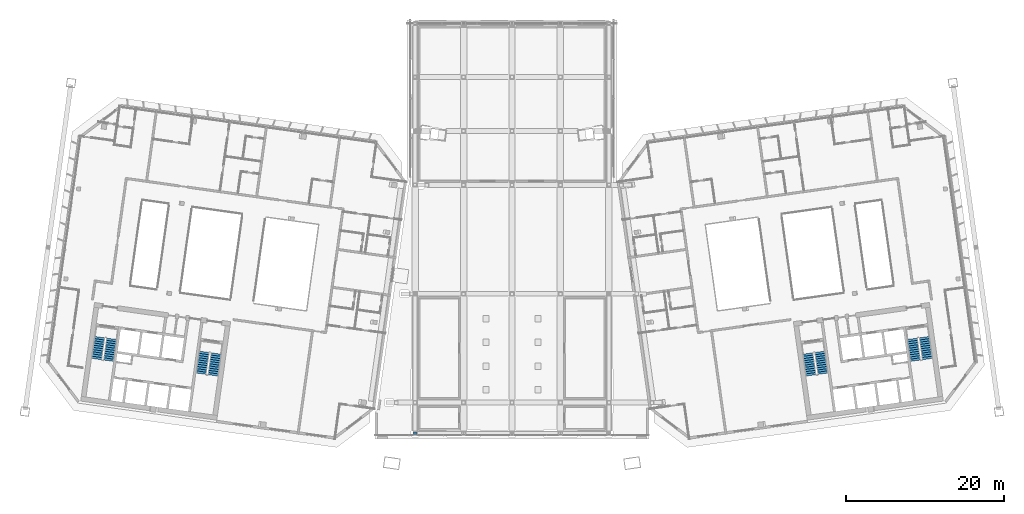
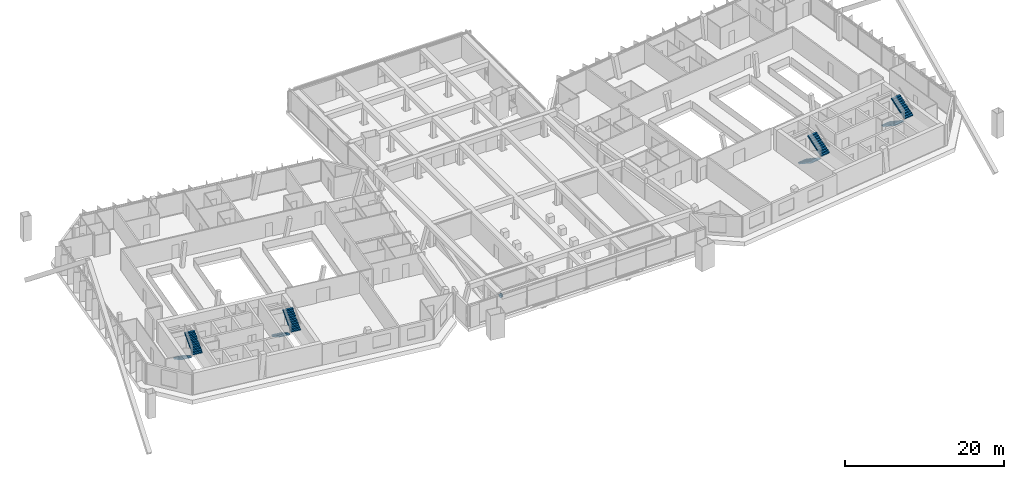
# One storey, part 22 of 28: 8 stair flights, 2 discrete accessories, 4 elements without a shape of their own.
"""IFC4 building model written with IfcOpenShell, lengths in metres."""

from ifc_helpers import new_model, si_unit, direction, frame, origin, origin_2d, place, context, subcontext, project, spatial, polyline, rectangle, outline, extrude, material, material_profile, profile_set, type_object, element, aggregate, save


model = new_model("IFC4")

# Units and contexts
model_context = context("Model", 3, precision=1e-05, world=origin(), true_north=direction((0.0, 1.0)))
body_context = subcontext(model_context, "Body", "Model", "MODEL_VIEW")
ifc_project = project(units=[si_unit("LENGTHUNIT", "METRE"), si_unit("AREAUNIT", "SQUARE_METRE"), si_unit("VOLUMEUNIT", "CUBIC_METRE"), si_unit("PLANEANGLEUNIT", "RADIAN"), si_unit("MASSUNIT", "GRAM", prefix="KILO")], contexts=[model_context])

# Site, building, storey
site_placement = place(None, origin())
site = spatial("IfcSite", under=ifc_project, at=site_placement, CompositionType="ELEMENT")
building_placement = place(site_placement, origin())
building = spatial("IfcBuilding", under=site, at=building_placement, Name="Mirante Cascada Hotel Towers", CompositionType="ELEMENT")
storey_placement = place(building_placement, frame((0.0, 0.0, 262.2)))
storey = spatial("IfcBuildingStorey", under=building, at=storey_placement, Name="L63", CompositionType="ELEMENT", Elevation=262.2)

# Stair, stair flights
ifc_material_1 = material(Name="Concrete C35/45", Category="concrete")
stair_type = type_object("IfcStairType", Name="Exit stair half-turn 1350 concrete C35/45", PredefinedType="HALF_TURN_STAIR", material=ifc_material_1)
stair_1_placement = place(storey_placement, origin())
stair_1 = element("IfcStair", 1, at=stair_1_placement, inside=storey, type_object=stair_type, Name="L63 Exit stair A", PredefinedType="HALF_TURN_STAIR")
ifc_material_2 = material(Name="Concrete C35/45", Category="concrete")
stair_flight_type = type_object("IfcStairFlightType", Name="Exit stair flight 1350 concrete C35/45", PredefinedType="STRAIGHT", material=ifc_material_2)
stair_flight_1_placement = place(storey_placement, frame((-38.9417, -11.195, 0.0), z_axis=(0.0, 0.0, 1.0), x_axis=(-0.1391731, -0.9902681, 0.0)))
stair_flight_1 = element("IfcStairFlight", 2, at=stair_flight_1_placement, type_object=stair_flight_type, Name="ST1-A flight 1", NumberOfRisers=11, NumberOfTreads=10, PredefinedType="STRAIGHT", RiserHeight=0.172727273, TreadLength=0.28, context=body_context, shape_type="SweptSolid", body=[
    extrude(outline(polyline([(0.0, 0.0), (0.0, 0.1727), (0.28, 0.1727), (0.28, 0.3455), (0.56, 0.3455), (0.56, 0.5182), (0.84, 0.5182), (0.84, 0.6909), (1.12, 0.6909), (1.12, 0.8636), (1.4, 0.8636), (1.4, 1.0364), (1.68, 1.0364), (1.68, 1.2091), (1.96, 1.2091), (1.96, 1.3818), (2.24, 1.3818), (2.24, 1.5545), (2.52, 1.5545), (2.52, 1.7273), (2.8, 1.7273), (2.8, 1.9), (2.8, 1.551), (0.2857, 0.0), (0.0, 0.0)])), frame((0.0, 0.675, 0.0), z_axis=(0.0, -1.0, 0.0), x_axis=(1.0, 0.0, 0.0)), (0.0, 0.0, 1.0), 1.35),
])
stair_flight_2_placement = place(storey_placement, frame((-37.846, -14.1765, 1.9), z_axis=(0.0, 0.0, 1.0), x_axis=(0.1391731, 0.9902681, 0.0)))
stair_flight_2 = element("IfcStairFlight", 3, at=stair_flight_2_placement, type_object=stair_flight_type, Name="ST1-A flight 2", NumberOfRisers=11, NumberOfTreads=10, PredefinedType="STRAIGHT", RiserHeight=0.172727273, TreadLength=0.28, context=body_context, shape_type="SweptSolid", body=[
    extrude(outline(polyline([(0.0, 0.0), (0.0, 0.1727), (0.28, 0.1727), (0.28, 0.3455), (0.56, 0.3455), (0.56, 0.5182), (0.84, 0.5182), (0.84, 0.6909), (1.12, 0.6909), (1.12, 0.8636), (1.4, 0.8636), (1.4, 1.0364), (1.68, 1.0364), (1.68, 1.2091), (1.96, 1.2091), (1.96, 1.3818), (2.24, 1.3818), (2.24, 1.5545), (2.52, 1.5545), (2.52, 1.7273), (2.8, 1.7273), (2.8, 1.9), (2.8, 1.551), (0.2857, 0.0), (0.0, 0.0)])), frame((0.0, 0.675, 0.0), z_axis=(0.0, -1.0, 0.0), x_axis=(1.0, 0.0, 0.0)), (0.0, 0.0, 1.0), 1.35),
])
aggregate(stair_1, [stair_flight_1, stair_flight_2])

stair_2_placement = place(storey_placement, origin())
stair_2 = element("IfcStair", 4, at=stair_2_placement, inside=storey, type_object=stair_type, Name="L63 Exit stair B", PredefinedType="HALF_TURN_STAIR")
stair_flight_3_placement = place(storey_placement, frame((-52.1618, -9.3371, 0.0), z_axis=(0.0, 0.0, 1.0), x_axis=(-0.1391731, -0.9902681, 0.0)))
stair_flight_3 = element("IfcStairFlight", 5, at=stair_flight_3_placement, type_object=stair_flight_type, Name="ST1-B flight 1", NumberOfRisers=11, NumberOfTreads=10, PredefinedType="STRAIGHT", RiserHeight=0.172727273, TreadLength=0.28, context=body_context, shape_type="SweptSolid", body=[
    extrude(outline(polyline([(0.0, 0.0), (0.0, 0.1727), (0.28, 0.1727), (0.28, 0.3455), (0.56, 0.3455), (0.56, 0.5182), (0.84, 0.5182), (0.84, 0.6909), (1.12, 0.6909), (1.12, 0.8636), (1.4, 0.8636), (1.4, 1.0364), (1.68, 1.0364), (1.68, 1.2091), (1.96, 1.2091), (1.96, 1.3818), (2.24, 1.3818), (2.24, 1.5545), (2.52, 1.5545), (2.52, 1.7273), (2.8, 1.7273), (2.8, 1.9), (2.8, 1.551), (0.2857, 0.0), (0.0, 0.0)])), frame((0.0, 0.675, 0.0), z_axis=(0.0, -1.0, 0.0), x_axis=(1.0, 0.0, 0.0)), (0.0, 0.0, 1.0), 1.35),
])
stair_flight_4_placement = place(storey_placement, frame((-51.0661, -12.3186, 1.9), z_axis=(0.0, 0.0, 1.0), x_axis=(0.1391731, 0.9902681, 0.0)))
stair_flight_4 = element("IfcStairFlight", 6, at=stair_flight_4_placement, type_object=stair_flight_type, Name="ST1-B flight 2", NumberOfRisers=11, NumberOfTreads=10, PredefinedType="STRAIGHT", RiserHeight=0.172727273, TreadLength=0.28, context=body_context, shape_type="SweptSolid", body=[
    extrude(outline(polyline([(0.0, 0.0), (0.0, 0.1727), (0.28, 0.1727), (0.28, 0.3455), (0.56, 0.3455), (0.56, 0.5182), (0.84, 0.5182), (0.84, 0.6909), (1.12, 0.6909), (1.12, 0.8636), (1.4, 0.8636), (1.4, 1.0364), (1.68, 1.0364), (1.68, 1.2091), (1.96, 1.2091), (1.96, 1.3818), (2.24, 1.3818), (2.24, 1.5545), (2.52, 1.5545), (2.52, 1.7273), (2.8, 1.7273), (2.8, 1.9), (2.8, 1.551), (0.2857, 0.0), (0.0, 0.0)])), frame((0.0, 0.675, 0.0), z_axis=(0.0, -1.0, 0.0), x_axis=(1.0, 0.0, 0.0)), (0.0, 0.0, 1.0), 1.35),
])
aggregate(stair_2, [stair_flight_3, stair_flight_4])

stair_3_placement = place(storey_placement, origin())
stair_3 = element("IfcStair", 7, at=stair_3_placement, inside=storey, type_object=stair_type, Name="L63 Exit stair A", PredefinedType="HALF_TURN_STAIR")
stair_flight_5_placement = place(storey_placement, frame((37.4563, -11.4038, 0.0), z_axis=(0.0, 0.0, 1.0), x_axis=(0.1391731, -0.9902681, 0.0)))
stair_flight_5 = element("IfcStairFlight", 8, at=stair_flight_5_placement, type_object=stair_flight_type, Name="ST2-A flight 1", NumberOfRisers=11, NumberOfTreads=10, PredefinedType="STRAIGHT", RiserHeight=0.172727273, TreadLength=0.28, context=body_context, shape_type="SweptSolid", body=[
    extrude(outline(polyline([(0.0, 0.0), (0.0, 0.1727), (0.28, 0.1727), (0.28, 0.3455), (0.56, 0.3455), (0.56, 0.5182), (0.84, 0.5182), (0.84, 0.6909), (1.12, 0.6909), (1.12, 0.8636), (1.4, 0.8636), (1.4, 1.0364), (1.68, 1.0364), (1.68, 1.2091), (1.96, 1.2091), (1.96, 1.3818), (2.24, 1.3818), (2.24, 1.5545), (2.52, 1.5545), (2.52, 1.7273), (2.8, 1.7273), (2.8, 1.9), (2.8, 1.551), (0.2857, 0.0), (0.0, 0.0)])), frame((0.0, 0.675, 0.0), z_axis=(0.0, -1.0, 0.0), x_axis=(1.0, 0.0, 0.0)), (0.0, 0.0, 1.0), 1.35),
])
stair_flight_6_placement = place(storey_placement, frame((39.3314, -13.9678, 1.9), z_axis=(0.0, 0.0, 1.0), x_axis=(-0.1391731, 0.9902681, 0.0)))
stair_flight_6 = element("IfcStairFlight", 9, at=stair_flight_6_placement, type_object=stair_flight_type, Name="ST2-A flight 2", NumberOfRisers=11, NumberOfTreads=10, PredefinedType="STRAIGHT", RiserHeight=0.172727273, TreadLength=0.28, context=body_context, shape_type="SweptSolid", body=[
    extrude(outline(polyline([(0.0, 0.0), (0.0, 0.1727), (0.28, 0.1727), (0.28, 0.3455), (0.56, 0.3455), (0.56, 0.5182), (0.84, 0.5182), (0.84, 0.6909), (1.12, 0.6909), (1.12, 0.8636), (1.4, 0.8636), (1.4, 1.0364), (1.68, 1.0364), (1.68, 1.2091), (1.96, 1.2091), (1.96, 1.3818), (2.24, 1.3818), (2.24, 1.5545), (2.52, 1.5545), (2.52, 1.7273), (2.8, 1.7273), (2.8, 1.9), (2.8, 1.551), (0.2857, 0.0), (0.0, 0.0)])), frame((0.0, 0.675, 0.0), z_axis=(0.0, -1.0, 0.0), x_axis=(1.0, 0.0, 0.0)), (0.0, 0.0, 1.0), 1.35),
])
aggregate(stair_3, [stair_flight_5, stair_flight_6])

stair_4_placement = place(storey_placement, origin())
stair_4 = element("IfcStair", 10, at=stair_4_placement, inside=storey, type_object=stair_type, Name="L63 Exit stair B", PredefinedType="HALF_TURN_STAIR")
stair_flight_7_placement = place(storey_placement, frame((50.6764, -9.5458, 0.0), z_axis=(0.0, 0.0, 1.0), x_axis=(0.1391731, -0.9902681, 0.0)))
stair_flight_7 = element("IfcStairFlight", 11, at=stair_flight_7_placement, type_object=stair_flight_type, Name="ST2-B flight 1", NumberOfRisers=11, NumberOfTreads=10, PredefinedType="STRAIGHT", RiserHeight=0.172727273, TreadLength=0.28, context=body_context, shape_type="SweptSolid", body=[
    extrude(outline(polyline([(0.0, 0.0), (0.0, 0.1727), (0.28, 0.1727), (0.28, 0.3455), (0.56, 0.3455), (0.56, 0.5182), (0.84, 0.5182), (0.84, 0.6909), (1.12, 0.6909), (1.12, 0.8636), (1.4, 0.8636), (1.4, 1.0364), (1.68, 1.0364), (1.68, 1.2091), (1.96, 1.2091), (1.96, 1.3818), (2.24, 1.3818), (2.24, 1.5545), (2.52, 1.5545), (2.52, 1.7273), (2.8, 1.7273), (2.8, 1.9), (2.8, 1.551), (0.2857, 0.0), (0.0, 0.0)])), frame((0.0, 0.675, 0.0), z_axis=(0.0, -1.0, 0.0), x_axis=(1.0, 0.0, 0.0)), (0.0, 0.0, 1.0), 1.35),
])
stair_flight_8_placement = place(storey_placement, frame((52.5515, -12.1098, 1.9), z_axis=(0.0, 0.0, 1.0), x_axis=(-0.1391731, 0.9902681, 0.0)))
stair_flight_8 = element("IfcStairFlight", 12, at=stair_flight_8_placement, type_object=stair_flight_type, Name="ST2-B flight 2", NumberOfRisers=11, NumberOfTreads=10, PredefinedType="STRAIGHT", RiserHeight=0.172727273, TreadLength=0.28, context=body_context, shape_type="SweptSolid", body=[
    extrude(outline(polyline([(0.0, 0.0), (0.0, 0.1727), (0.28, 0.1727), (0.28, 0.3455), (0.56, 0.3455), (0.56, 0.5182), (0.84, 0.5182), (0.84, 0.6909), (1.12, 0.6909), (1.12, 0.8636), (1.4, 0.8636), (1.4, 1.0364), (1.68, 1.0364), (1.68, 1.2091), (1.96, 1.2091), (1.96, 1.3818), (2.24, 1.3818), (2.24, 1.5545), (2.52, 1.5545), (2.52, 1.7273), (2.8, 1.7273), (2.8, 1.9), (2.8, 1.551), (0.2857, 0.0), (0.0, 0.0)])), frame((0.0, 0.675, 0.0), z_axis=(0.0, -1.0, 0.0), x_axis=(1.0, 0.0, 0.0)), (0.0, 0.0, 1.0), 1.35),
])
aggregate(stair_4, [stair_flight_7, stair_flight_8])

# Discrete accessories
ifc_material_3 = material(Name="Steel ASTM A572 Gr 50", Category="steel")
ifc_material_profile = material_profile(ifc_material_3, rectangle(XDim=0.5, YDim=0.5, at=origin_2d()), Name="Connection plate 500x500x25 ASTM A572 Gr 50")
ifc_profile_set = profile_set([ifc_material_profile], Name="Steel ASTM A572 Gr 50")
discrete_accessory_type = type_object("IfcDiscreteAccessoryType", Name="Connection plate 500x500x25 ASTM A572 Gr 50", PredefinedType="BRACKET", material=ifc_profile_set)
discrete_accessory_1_placement = place(storey_placement, frame((-12.2514, -21.5063, 2.8913), z_axis=(0.0, -0.7170505, 0.6970212), x_axis=(1.0, 0.0, 0.0)))
element("IfcDiscreteAccessory", 13, at=discrete_accessory_1_placement, inside=storey, type_object=discrete_accessory_type, Name="Connection plate SP-D1", PredefinedType="BRACKET", context=body_context, shape_type="SweptSolid", body=[
    extrude(rectangle(XDim=0.5, YDim=0.5, at=origin_2d()), origin(), (0.0, 0.0, 1.0), 0.025),
])
discrete_accessory_2_placement = place(storey_placement, frame((-12.2407, -21.5153, 2.8934), z_axis=(-0.8500099, 0.0, 0.5267667), x_axis=(0.0, -1.0, 0.0)))
element("IfcDiscreteAccessory", 14, at=discrete_accessory_2_placement, inside=storey, type_object=discrete_accessory_type, Name="Connection plate SP-ERD", PredefinedType="BRACKET", context=body_context, shape_type="SweptSolid", body=[
    extrude(rectangle(XDim=0.5, YDim=0.5, at=origin_2d()), origin(), (0.0, 0.0, 1.0), 0.0251),
])

save(model, "model.ifc")
